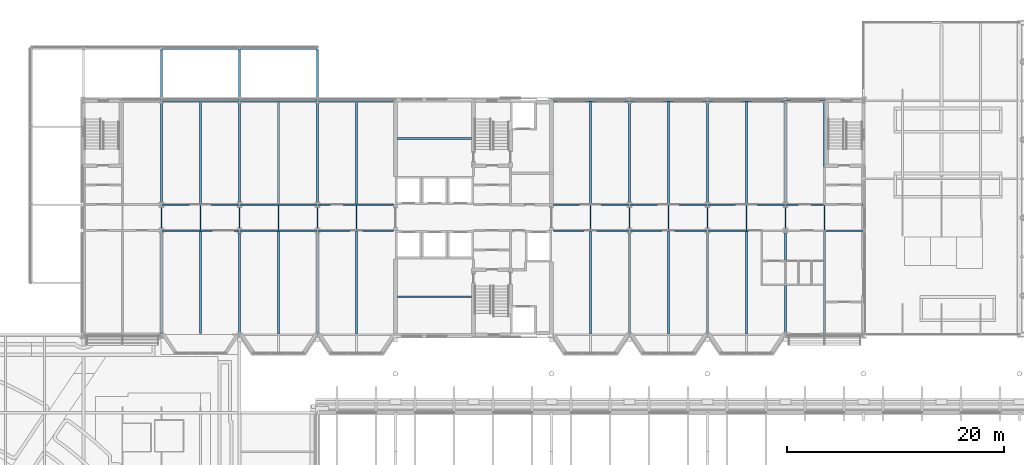
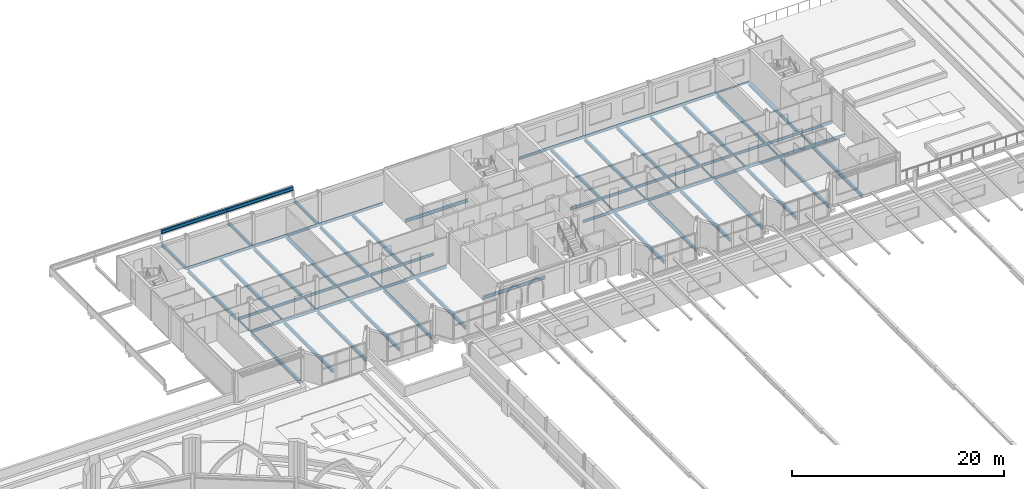
# One storey, part 29 of 110: 67 beams.
"""IFC4 building model written with IfcOpenShell, lengths in metres."""

import ifcopenshell
import ifcopenshell.guid

model = None  # the IFC model being written
_history = None  # IfcOwnerHistory: only IFC2X3 demands one
_inside = {}  # id of a spatial element -> (the spatial element, [elements in it])
_under = {}  # id of a project, library or spatial element -> (it, [spatial elements below it])
_declared = {}  # id of a project -> (the project, [libraries it declares])
_typed = {}  # id of a type object -> (the type object, [elements of that type])
_made_of = {}  # id of a material, layer set ... -> (it, [elements and type objects made of it])


def new_model(schema):
    """Start an empty IFC model of exactly this schema.

    Asked for "IFC4X3", IfcOpenShell would pick the latest addendum, in which some entities
    have other attributes; the version numbers below select the first issue.
    IFC2X3 requires an IfcOwnerHistory on every rooted entity: one is made here for all.
    """
    global model, _history
    if schema == "IFC4X3":
        model = ifcopenshell.file(schema_version=(4, 3, 0, 0))
    else:
        model = ifcopenshell.file(schema=schema)
    _inside.clear()
    _under.clear()
    _declared.clear()
    _typed.clear()
    _made_of.clear()
    _history = None
    if model.schema == "IFC2X3":
        org = make("IfcOrganization", Name="unknown")
        user = make(
            "IfcPersonAndOrganization",
            ThePerson=make("IfcPerson", FamilyName="unknown"),
            TheOrganization=org,
        )
        app = make(
            "IfcApplication",
            ApplicationDeveloper=org,
            Version="unknown",
            ApplicationFullName="unknown",
            ApplicationIdentifier="unknown",
        )
        _history = make(
            "IfcOwnerHistory",
            OwningUser=user,
            OwningApplication=app,
            ChangeAction="ADDED",
            CreationDate=0,
        )
    return model


def make(cls, **values):
    """One entity of the class cls with the attributes given. An attribute that is None is left unset."""
    return model.create_entity(
        cls, **{name: value for name, value in values.items() if value is not None}
    )


def rooted(cls, **values):
    """An entity with a GlobalId (a new one), such as an element, a storey or a relation."""
    return make(cls, GlobalId=ifcopenshell.guid.new(), OwnerHistory=_history, **values)


def si_unit(unit_type, name, prefix=None):
    """IfcSIUnit, for example si_unit("LENGTHUNIT", "METRE", prefix="MILLI")."""
    return make("IfcSIUnit", UnitType=unit_type, Prefix=prefix, Name=name)


def assignment(units):
    """IfcUnitAssignment: the units of a project."""
    return None if units is None else make("IfcUnitAssignment", Units=units)


def point(xyz):
    """IfcCartesianPoint."""
    return None if xyz is None else make("IfcCartesianPoint", Coordinates=xyz)


def direction(xyz):
    """IfcDirection."""
    return None if xyz is None else make("IfcDirection", DirectionRatios=xyz)


def frame(location, z_axis=None, x_axis=None):
    """IfcAxis2Placement3D, a coordinate frame: its origin and axes. An axis left out is left unset."""
    return make(
        "IfcAxis2Placement3D",
        Location=point(location),
        Axis=direction(z_axis),
        RefDirection=direction(x_axis),
    )


def frame_2d(location, x_axis=None):
    """IfcAxis2Placement2D, a coordinate frame in the plane: its origin and x axis."""
    return make(
        "IfcAxis2Placement2D", Location=point(location), RefDirection=direction(x_axis)
    )


def origin():
    """The frame at (0, 0, 0) with its axes left unset."""
    return frame((0.0, 0.0, 0.0))


def origin_2d():
    """The frame at (0, 0) in the plane with its x axis left unset."""
    return frame_2d((0.0, 0.0))


def place(relative_to, where):
    """IfcLocalPlacement: puts the frame where relative to a parent placement (None: the world)."""
    return make(
        "IfcLocalPlacement", PlacementRelTo=relative_to, RelativePlacement=where
    )


def context(
    kind, dimensions, precision=None, world=None, true_north=None, identifier=None
):
    """IfcGeometricRepresentationContext, for example the 3D "Model" context."""
    return make(
        "IfcGeometricRepresentationContext",
        ContextIdentifier=identifier,
        ContextType=kind,
        CoordinateSpaceDimension=dimensions,
        Precision=precision,
        WorldCoordinateSystem=world,
        TrueNorth=true_north,
    )


def subcontext(parent, identifier, kind, view, scale=None):
    """IfcGeometricRepresentationSubContext, for example "Body" below "Model"."""
    return make(
        "IfcGeometricRepresentationSubContext",
        ContextIdentifier=identifier,
        ContextType=kind,
        ParentContext=parent,
        TargetScale=scale,
        TargetView=view,
    )


def project(units=None, contexts=None):
    """IfcProject with its units and contexts."""
    return rooted(
        "IfcProject",
        Name="project",
        RepresentationContexts=contexts,
        UnitsInContext=assignment(units),
    )


def spatial(cls, under=None, at=None, **own):
    """A site, building, storey or space (cls), placed at a placement, below another one or the project."""
    s = rooted(cls, ObjectPlacement=at, **own)
    if under is not None:
        _under.setdefault(under.id(), (under, []))[1].append(s)
    return s


def profile(cls, at=None, kind="AREA", **sizes):
    """A parametric profile (cls). Its sizes go by their IFC names, for example OverallWidth=200.0."""
    return make(cls, ProfileType=kind, Position=at, **sizes)


def i_section(**sizes):
    """IfcIShapeProfileDef."""
    return profile("IfcIShapeProfileDef", **sizes)


def extrude(swept, where, along, depth):
    """IfcExtrudedAreaSolid: the profile swept, set in the frame where, extruded along a direction by depth."""
    return make(
        "IfcExtrudedAreaSolid",
        SweptArea=swept,
        Position=where,
        ExtrudedDirection=direction(along),
        Depth=depth,
    )


def shape(context_of_items, identifier, shape_type, items):
    """IfcShapeRepresentation: the items that make up one representation, for example the "Body"."""
    return make(
        "IfcShapeRepresentation",
        ContextOfItems=context_of_items,
        RepresentationIdentifier=identifier,
        RepresentationType=shape_type,
        Items=items,
    )


def material(Name=None, Category=None):
    """IfcMaterial."""
    return make("IfcMaterial", Name=Name, Category=Category)


def material_profile(
    of_material, cross_section, Name=None, Category=None, Priority=None
):
    """IfcMaterialProfile: a cross section and its material."""
    return make(
        "IfcMaterialProfile",
        Name=Name,
        Material=of_material,
        Profile=cross_section,
        Priority=Priority,
        Category=Category,
    )


def profile_set(profiles, Name=None, composite=None):
    """IfcMaterialProfileSet."""
    return make(
        "IfcMaterialProfileSet",
        Name=Name,
        MaterialProfiles=profiles,
        CompositeProfile=composite,
    )


def made_of(thing, what):
    """Note that an element or type object is made of a material, layer set ...; save() writes the relation."""
    if what is not None:
        _made_of.setdefault(what.id(), (what, []))[1].append(thing)
    return thing


def type_object(cls, material=None, **own):
    """A type object (cls), such as IfcWallType, which elements share."""
    return made_of(rooted(cls, **own), material)


def element(
    cls,
    number,
    at=None,
    inside=None,
    cuts=None,
    type_object=None,
    material=None,
    context=None,
    identifier="Body",
    shape_type=None,
    held_by="IfcProductDefinitionShape",
    body=None,
    shapes=None,
    **own,
):
    """One element of the class cls, such as IfcWall. Its Tag is "e" and its number.

    at: its placement. inside: the storey or other place that contains it. cuts: it is an
    opening in that element (IfcRelVoidsElement). A single representation is given by context,
    identifier, shape_type and body (its items); several are given by shapes. held_by: the class
    of the entity that holds the representations. save() writes the other relations.
    """
    e = rooted(cls, Tag="e%d" % number, ObjectPlacement=at, **own)
    if body is not None:
        shapes = [shape(context, identifier, shape_type, body)]
    if shapes is not None:
        e.Representation = make(held_by, Representations=shapes)
    if inside is not None:
        _inside.setdefault(inside.id(), (inside, []))[1].append(e)
    if cuts is not None:
        rooted(
            "IfcRelVoidsElement", RelatingBuildingElement=cuts, RelatedOpeningElement=e
        )
    if type_object is not None:
        _typed.setdefault(type_object.id(), (type_object, []))[1].append(e)
    return made_of(e, material)


def aggregate(whole, parts):
    """IfcRelAggregates: a whole, such as a stair, and the parts it consists of."""
    return rooted("IfcRelAggregates", RelatingObject=whole, RelatedObjects=parts)


def save(model, path):
    """Write the relations noted so far, then the file.

    IfcRelAggregates (storeys below a building ...), IfcRelContainedInSpatialStructure (elements
    in a storey), IfcRelDefinesByType, IfcRelAssociatesMaterial and IfcRelDeclares: one each for
    every whole, place, type object, material and project.
    """
    for whole, parts in _under.values():
        aggregate(whole, parts)
    for where, things in _inside.values():
        rooted(
            "IfcRelContainedInSpatialStructure",
            RelatedElements=things,
            RelatingStructure=where,
        )
    for kind, things in _typed.values():
        rooted("IfcRelDefinesByType", RelatedObjects=things, RelatingType=kind)
    for what, things in _made_of.values():
        rooted("IfcRelAssociatesMaterial", RelatedObjects=things, RelatingMaterial=what)
    for by, libraries in _declared.values():
        rooted("IfcRelDeclares", RelatingContext=by, RelatedDefinitions=libraries)
    model.write(path)


model = new_model("IFC4")

# Units and contexts
model_context = context("Model", 3, precision=1e-05, world=origin(), true_north=direction((0.0, 1.0)))
body_context = subcontext(model_context, "Body", "Model", "MODEL_VIEW")
ifc_project = project(units=[si_unit("LENGTHUNIT", "METRE"), si_unit("AREAUNIT", "SQUARE_METRE"), si_unit("VOLUMEUNIT", "CUBIC_METRE"), si_unit("PLANEANGLEUNIT", "RADIAN"), si_unit("MASSUNIT", "GRAM", prefix="KILO")], contexts=[model_context])

# Site, building, storey
site_placement = place(None, origin())
site = spatial("IfcSite", under=ifc_project, at=site_placement, CompositionType="ELEMENT")
building_placement = place(site_placement, origin())
building = spatial("IfcBuilding", under=site, at=building_placement, Name="Kupolbacken Congress Centre", CompositionType="ELEMENT")
storey_placement = place(building_placement, frame((0.0, 0.0, 18.0)))
storey = spatial("IfcBuildingStorey", under=building, at=storey_placement, Name="L05", CompositionType="ELEMENT", Elevation=18.0)

# Beams
ifc_material_1 = material(Name="Steel S355", Category="steel")
ifc_material_profile_1 = material_profile(ifc_material_1, i_section(OverallWidth=0.10009765625, OverallDepth=0.199951171875, WebThickness=0.005615234375, FlangeThickness=0.008544921875, FilletRadius=0.011962890625, at=origin_2d()), Name="IPE 200")
ifc_profile_set_1 = profile_set([ifc_material_profile_1], Name="Steel S355")
beam_type_1 = type_object("IfcBeamType", Name="B01 beam IPE 200", PredefinedType="BEAM", material=ifc_profile_set_1)
beam_1_placement = place(storey_placement, frame((129.610595703125, 144.0, -0.239990234375), z_axis=(1.0, 0.0, 0.0), x_axis=(0.0, 1.0, 0.0)))
element("IfcBeam", 1, at=beam_1_placement, inside=storey, type_object=beam_type_1, Name="S/floor/T/L05/R030", PredefinedType="BEAM", context=body_context, shape_type="SweptSolid", body=[
    extrude(i_section(OverallWidth=0.10009765625, OverallDepth=0.199951171875, WebThickness=0.005615234375, FlangeThickness=0.008544921875, FilletRadius=0.011962890625, at=origin_2d()), origin(), (0.0, 0.0, 1.0), 3.639404296875),
])
beam_2_placement = place(storey_placement, frame((72.0, 132.21240234375, -0.239990234375), z_axis=(0.0, 1.0, 0.0), x_axis=(-1.0, 0.0, 0.0)))
element("IfcBeam", 2, at=beam_2_placement, inside=storey, type_object=beam_type_1, Name="S/floor/T/L05/S038", PredefinedType="BEAM", context=body_context, shape_type="SweptSolid", body=[
    extrude(i_section(OverallWidth=0.10009765625, OverallDepth=0.199951171875, WebThickness=0.005615234375, FlangeThickness=0.008544921875, FilletRadius=0.011962890625, at=origin_2d()), origin(), (0.0, 0.0, 1.0), 1.97509765625),
])
beam_3_placement = place(storey_placement, frame((75.60009765625, 132.074951171875, -0.239990234375), z_axis=(0.0, 1.0, 0.0), x_axis=(-1.0, 0.0, 0.0)))
element("IfcBeam", 3, at=beam_3_placement, inside=storey, type_object=beam_type_1, Name="S/floor/T/L05/S041", PredefinedType="BEAM", context=body_context, shape_type="SweptSolid", body=[
    extrude(i_section(OverallWidth=0.10009765625, OverallDepth=0.199951171875, WebThickness=0.005615234375, FlangeThickness=0.008544921875, FilletRadius=0.011962890625, at=origin_2d()), origin(), (0.0, 0.0, 1.0), 2.25),
])
beam_4_placement = place(storey_placement, frame((79.199951171875, 132.21240234375, -0.239990234375), z_axis=(0.0, 1.0, 0.0), x_axis=(-1.0, 0.0, 0.0)))
element("IfcBeam", 4, at=beam_4_placement, inside=storey, type_object=beam_type_1, Name="S/floor/T/L05/S044", PredefinedType="BEAM", context=body_context, shape_type="SweptSolid", body=[
    extrude(i_section(OverallWidth=0.10009765625, OverallDepth=0.199951171875, WebThickness=0.005615234375, FlangeThickness=0.008544921875, FilletRadius=0.011962890625, at=origin_2d()), origin(), (0.0, 0.0, 1.0), 1.97509765625),
])
beam_5_placement = place(storey_placement, frame((82.800048828125, 132.074951171875, -0.239990234375), z_axis=(0.0, 1.0, 0.0), x_axis=(-1.0, 0.0, 0.0)))
element("IfcBeam", 5, at=beam_5_placement, inside=storey, type_object=beam_type_1, Name="S/floor/T/L05/S047", PredefinedType="BEAM", context=body_context, shape_type="SweptSolid", body=[
    extrude(i_section(OverallWidth=0.10009765625, OverallDepth=0.199951171875, WebThickness=0.005615234375, FlangeThickness=0.008544921875, FilletRadius=0.011962890625, at=origin_2d()), origin(), (0.0, 0.0, 1.0), 2.25),
])
beam_6_placement = place(storey_placement, frame((86.39990234375, 132.21240234375, -0.239990234375), z_axis=(0.0, 1.0, 0.0), x_axis=(-1.0, 0.0, 0.0)))
element("IfcBeam", 6, at=beam_6_placement, inside=storey, type_object=beam_type_1, Name="S/floor/T/L05/S050", PredefinedType="BEAM", context=body_context, shape_type="SweptSolid", body=[
    extrude(i_section(OverallWidth=0.10009765625, OverallDepth=0.199951171875, WebThickness=0.005615234375, FlangeThickness=0.008544921875, FilletRadius=0.011962890625, at=origin_2d()), origin(), (0.0, 0.0, 1.0), 1.97509765625),
])
for number, where, z_axis, x_axis, name in (
    (7, (90.0, 132.074951171875, -0.239990234375), (0.0, 1.0, 0.0), (-1.0, 0.0, 0.0), "S/floor/T/L05/S053"),
    (8, (111.60009765625, 132.074951171875, -0.239990234375), (0.0, 1.0, 0.0), (-1.0, 0.0, 0.0), "S/floor/T/L05/S056"),
):
    element("IfcBeam", number, at=place(storey_placement, frame(where, z_axis=z_axis, x_axis=x_axis)), inside=storey, type_object=beam_type_1, Name=name, PredefinedType="BEAM", context=body_context, shape_type="SweptSolid", body=[
        extrude(i_section(OverallWidth=0.10009765625, OverallDepth=0.199951171875, WebThickness=0.005615234375, FlangeThickness=0.008544921875, FilletRadius=0.011962890625, at=origin_2d()), origin(), (0.0, 0.0, 1.0), 2.25),
    ])
beam_7_placement = place(storey_placement, frame((115.199951171875, 132.21240234375, -0.239990234375), z_axis=(0.0, 1.0, 0.0), x_axis=(-1.0, 0.0, 0.0)))
element("IfcBeam", 9, at=beam_7_placement, inside=storey, type_object=beam_type_1, Name="S/floor/T/L05/S059", PredefinedType="BEAM", context=body_context, shape_type="SweptSolid", body=[
    extrude(i_section(OverallWidth=0.10009765625, OverallDepth=0.199951171875, WebThickness=0.005615234375, FlangeThickness=0.008544921875, FilletRadius=0.011962890625, at=origin_2d()), origin(), (0.0, 0.0, 1.0), 1.97509765625),
])
beam_8_placement = place(storey_placement, frame((118.800048828125, 132.074951171875, -0.239990234375), z_axis=(0.0, 1.0, 0.0), x_axis=(-1.0, 0.0, 0.0)))
element("IfcBeam", 10, at=beam_8_placement, inside=storey, type_object=beam_type_1, Name="S/floor/T/L05/S062", PredefinedType="BEAM", context=body_context, shape_type="SweptSolid", body=[
    extrude(i_section(OverallWidth=0.10009765625, OverallDepth=0.199951171875, WebThickness=0.005615234375, FlangeThickness=0.008544921875, FilletRadius=0.011962890625, at=origin_2d()), origin(), (0.0, 0.0, 1.0), 2.25),
])
beam_9_placement = place(storey_placement, frame((122.39990234375, 132.21240234375, -0.239990234375), z_axis=(0.0, 1.0, 0.0), x_axis=(-1.0, 0.0, 0.0)))
element("IfcBeam", 11, at=beam_9_placement, inside=storey, type_object=beam_type_1, Name="S/floor/T/L05/S065", PredefinedType="BEAM", context=body_context, shape_type="SweptSolid", body=[
    extrude(i_section(OverallWidth=0.10009765625, OverallDepth=0.199951171875, WebThickness=0.005615234375, FlangeThickness=0.008544921875, FilletRadius=0.011962890625, at=origin_2d()), origin(), (0.0, 0.0, 1.0), 1.97509765625),
])
beam_10_placement = place(storey_placement, frame((126.0, 132.074951171875, -0.239990234375), z_axis=(0.0, 1.0, 0.0), x_axis=(-1.0, 0.0, 0.0)))
element("IfcBeam", 12, at=beam_10_placement, inside=storey, type_object=beam_type_1, Name="S/floor/T/L05/S068", PredefinedType="BEAM", context=body_context, shape_type="SweptSolid", body=[
    extrude(i_section(OverallWidth=0.10009765625, OverallDepth=0.199951171875, WebThickness=0.005615234375, FlangeThickness=0.008544921875, FilletRadius=0.011962890625, at=origin_2d()), origin(), (0.0, 0.0, 1.0), 2.25),
])
beam_11_placement = place(storey_placement, frame((129.60009765625, 132.21240234375, -0.239990234375), z_axis=(0.0, 1.0, 0.0), x_axis=(-1.0, 0.0, 0.0)))
element("IfcBeam", 13, at=beam_11_placement, inside=storey, type_object=beam_type_1, Name="S/floor/T/L05/S071", PredefinedType="BEAM", context=body_context, shape_type="SweptSolid", body=[
    extrude(i_section(OverallWidth=0.10009765625, OverallDepth=0.199951171875, WebThickness=0.005615234375, FlangeThickness=0.008544921875, FilletRadius=0.011962890625, at=origin_2d()), origin(), (0.0, 0.0, 1.0), 1.97509765625),
])
beam_12_placement = place(storey_placement, frame((133.199951171875, 132.074951171875, -0.239990234375), z_axis=(0.0, 1.0, 0.0), x_axis=(-1.0, 0.0, 0.0)))
element("IfcBeam", 14, at=beam_12_placement, inside=storey, type_object=beam_type_1, Name="S/floor/T/L05/S074", PredefinedType="BEAM", context=body_context, shape_type="SweptSolid", body=[
    extrude(i_section(OverallWidth=0.10009765625, OverallDepth=0.199951171875, WebThickness=0.005615234375, FlangeThickness=0.008544921875, FilletRadius=0.011962890625, at=origin_2d()), origin(), (0.0, 0.0, 1.0), 2.25),
])
ifc_material_2 = material(Name="Steel S355", Category="steel")
ifc_material_profile_2 = material_profile(ifc_material_2, i_section(OverallWidth=0.14990234375, OverallDepth=0.300048828125, WebThickness=0.007080078125, FlangeThickness=0.0107421875, FilletRadius=0.014892578125, at=origin_2d()), Name="IPE 300")
ifc_profile_set_2 = profile_set([ifc_material_profile_2], Name="Steel S355")
beam_type_2 = type_object("IfcBeamType", Name="B04 beam IPE 300", PredefinedType="BEAM", material=ifc_profile_set_2)
for number, where, z_axis, x_axis, name in (
    (15, (72.016357421875, 132.0, -0.2900390625), (1.0, 0.0, 0.0), (0.0, 1.0, 0.0), "S/floor/T/L05/R008"),
    (16, (79.21630859375, 132.0, -0.2900390625), (1.0, 0.0, 0.0), (0.0, 1.0, 0.0), "S/floor/T/L05/R009"),
):
    element("IfcBeam", number, at=place(storey_placement, frame(where, z_axis=z_axis, x_axis=x_axis)), inside=storey, type_object=beam_type_2, Name=name, PredefinedType="BEAM", context=body_context, shape_type="SweptSolid", body=[
        extrude(i_section(OverallWidth=0.14990234375, OverallDepth=0.300048828125, WebThickness=0.007080078125, FlangeThickness=0.0107421875, FilletRadius=0.014892578125, at=origin_2d()), origin(), (0.0, 0.0, 1.0), 7.167236328125),
    ])
beam_13_placement = place(storey_placement, frame((86.41650390625, 132.0, -0.2900390625), z_axis=(1.0, 0.0, 0.0), x_axis=(0.0, 1.0, 0.0)))
element("IfcBeam", 17, at=beam_13_placement, inside=storey, type_object=beam_type_2, Name="S/floor/T/L05/R010", PredefinedType="BEAM", context=body_context, shape_type="SweptSolid", body=[
    extrude(i_section(OverallWidth=0.14990234375, OverallDepth=0.300048828125, WebThickness=0.007080078125, FlangeThickness=0.0107421875, FilletRadius=0.014892578125, at=origin_2d()), origin(), (0.0, 0.0, 1.0), 6.9833984375),
])
beam_14_placement = place(storey_placement, frame((108.199951171875, 132.0, -0.2900390625), z_axis=(1.0, 0.0, 0.0), x_axis=(0.0, 1.0, 0.0)))
element("IfcBeam", 18, at=beam_14_placement, inside=storey, type_object=beam_type_2, Name="S/floor/T/L05/R011", PredefinedType="BEAM", context=body_context, shape_type="SweptSolid", body=[
    extrude(i_section(OverallWidth=0.14990234375, OverallDepth=0.300048828125, WebThickness=0.007080078125, FlangeThickness=0.0107421875, FilletRadius=0.014892578125, at=origin_2d()), origin(), (0.0, 0.0, 1.0), 6.983642578125),
])
beam_15_placement = place(storey_placement, frame((115.21630859375, 132.0, -0.2900390625), z_axis=(1.0, 0.0, 0.0), x_axis=(0.0, 1.0, 0.0)))
element("IfcBeam", 19, at=beam_15_placement, inside=storey, type_object=beam_type_2, Name="S/floor/T/L05/R012", PredefinedType="BEAM", context=body_context, shape_type="SweptSolid", body=[
    extrude(i_section(OverallWidth=0.14990234375, OverallDepth=0.300048828125, WebThickness=0.007080078125, FlangeThickness=0.0107421875, FilletRadius=0.014892578125, at=origin_2d()), origin(), (0.0, 0.0, 1.0), 7.167236328125),
])
beam_16_placement = place(storey_placement, frame((122.41650390625, 132.0, -0.2900390625), z_axis=(1.0, 0.0, 0.0), x_axis=(0.0, 1.0, 0.0)))
element("IfcBeam", 20, at=beam_16_placement, inside=storey, type_object=beam_type_2, Name="S/floor/T/L05/R013", PredefinedType="BEAM", context=body_context, shape_type="SweptSolid", body=[
    extrude(i_section(OverallWidth=0.14990234375, OverallDepth=0.300048828125, WebThickness=0.007080078125, FlangeThickness=0.0107421875, FilletRadius=0.014892578125, at=origin_2d()), origin(), (0.0, 0.0, 1.0), 7.1669921875),
])
beam_17_placement = place(storey_placement, frame((129.616455078125, 132.0, -0.2900390625), z_axis=(1.0, 0.0, 0.0), x_axis=(0.0, 1.0, 0.0)))
element("IfcBeam", 21, at=beam_17_placement, inside=storey, type_object=beam_type_2, Name="S/floor/T/L05/R014", PredefinedType="BEAM", context=body_context, shape_type="SweptSolid", body=[
    extrude(i_section(OverallWidth=0.14990234375, OverallDepth=0.300048828125, WebThickness=0.007080078125, FlangeThickness=0.0107421875, FilletRadius=0.014892578125, at=origin_2d()), origin(), (0.0, 0.0, 1.0), 7.176513671875),
])
for number, where, z_axis, x_axis, name in (
    (22, (72.016357421875, 134.39990234375, -0.2900390625), (1.0, 0.0, 0.0), (0.0, 1.0, 0.0), "S/floor/T/L05/R016"),
    (23, (79.21630859375, 134.39990234375, -0.2900390625), (1.0, 0.0, 0.0), (0.0, 1.0, 0.0), "S/floor/T/L05/R017"),
):
    element("IfcBeam", number, at=place(storey_placement, frame(where, z_axis=z_axis, x_axis=x_axis)), inside=storey, type_object=beam_type_2, Name=name, PredefinedType="BEAM", context=body_context, shape_type="SweptSolid", body=[
        extrude(i_section(OverallWidth=0.14990234375, OverallDepth=0.300048828125, WebThickness=0.007080078125, FlangeThickness=0.0107421875, FilletRadius=0.014892578125, at=origin_2d()), origin(), (0.0, 0.0, 1.0), 7.167236328125),
    ])
beam_18_placement = place(storey_placement, frame((86.41650390625, 134.39990234375, -0.2900390625), z_axis=(1.0, 0.0, 0.0), x_axis=(0.0, 1.0, 0.0)))
element("IfcBeam", 24, at=beam_18_placement, inside=storey, type_object=beam_type_2, Name="S/floor/T/L05/R018", PredefinedType="BEAM", context=body_context, shape_type="SweptSolid", body=[
    extrude(i_section(OverallWidth=0.14990234375, OverallDepth=0.300048828125, WebThickness=0.007080078125, FlangeThickness=0.0107421875, FilletRadius=0.014892578125, at=origin_2d()), origin(), (0.0, 0.0, 1.0), 6.9833984375),
])
beam_19_placement = place(storey_placement, frame((108.199951171875, 134.39990234375, -0.2900390625), z_axis=(1.0, 0.0, 0.0), x_axis=(0.0, 1.0, 0.0)))
element("IfcBeam", 25, at=beam_19_placement, inside=storey, type_object=beam_type_2, Name="S/floor/T/L05/R019", PredefinedType="BEAM", context=body_context, shape_type="SweptSolid", body=[
    extrude(i_section(OverallWidth=0.14990234375, OverallDepth=0.300048828125, WebThickness=0.007080078125, FlangeThickness=0.0107421875, FilletRadius=0.014892578125, at=origin_2d()), origin(), (0.0, 0.0, 1.0), 6.983642578125),
])
beam_20_placement = place(storey_placement, frame((115.21630859375, 134.39990234375, -0.2900390625), z_axis=(1.0, 0.0, 0.0), x_axis=(0.0, 1.0, 0.0)))
element("IfcBeam", 26, at=beam_20_placement, inside=storey, type_object=beam_type_2, Name="S/floor/T/L05/R020", PredefinedType="BEAM", context=body_context, shape_type="SweptSolid", body=[
    extrude(i_section(OverallWidth=0.14990234375, OverallDepth=0.300048828125, WebThickness=0.007080078125, FlangeThickness=0.0107421875, FilletRadius=0.014892578125, at=origin_2d()), origin(), (0.0, 0.0, 1.0), 7.167236328125),
])
beam_21_placement = place(storey_placement, frame((122.41650390625, 134.39990234375, -0.2900390625), z_axis=(1.0, 0.0, 0.0), x_axis=(0.0, 1.0, 0.0)))
element("IfcBeam", 27, at=beam_21_placement, inside=storey, type_object=beam_type_2, Name="S/floor/T/L05/R021", PredefinedType="BEAM", context=body_context, shape_type="SweptSolid", body=[
    extrude(i_section(OverallWidth=0.14990234375, OverallDepth=0.300048828125, WebThickness=0.007080078125, FlangeThickness=0.0107421875, FilletRadius=0.014892578125, at=origin_2d()), origin(), (0.0, 0.0, 1.0), 7.1669921875),
])
beam_22_placement = place(storey_placement, frame((129.616455078125, 134.39990234375, -0.2900390625), z_axis=(1.0, 0.0, 0.0), x_axis=(0.0, 1.0, 0.0)))
element("IfcBeam", 28, at=beam_22_placement, inside=storey, type_object=beam_type_2, Name="S/floor/T/L05/R022", PredefinedType="BEAM", context=body_context, shape_type="SweptSolid", body=[
    extrude(i_section(OverallWidth=0.14990234375, OverallDepth=0.300048828125, WebThickness=0.007080078125, FlangeThickness=0.0107421875, FilletRadius=0.014892578125, at=origin_2d()), origin(), (0.0, 0.0, 1.0), 7.176513671875),
])
for number, where, z_axis, x_axis, name in (
    (29, (72.010498046875, 144.0, -0.2900390625), (1.0, 0.0, 0.0), (0.0, 1.0, 0.0), "S/floor/T/L05/R024"),
    (30, (79.21044921875, 144.0, -0.2900390625), (1.0, 0.0, 0.0), (0.0, 1.0, 0.0), "S/floor/T/L05/R025"),
):
    element("IfcBeam", number, at=place(storey_placement, frame(where, z_axis=z_axis, x_axis=x_axis)), inside=storey, type_object=beam_type_2, Name=name, PredefinedType="BEAM", context=body_context, shape_type="SweptSolid", body=[
        extrude(i_section(OverallWidth=0.14990234375, OverallDepth=0.300048828125, WebThickness=0.007080078125, FlangeThickness=0.0107421875, FilletRadius=0.014892578125, at=origin_2d()), origin(), (0.0, 0.0, 1.0), 7.178955078125),
    ])
for number, where, z_axis, x_axis, name in (
    (31, (86.410400390625, 144.0, -0.2900390625), (1.0, 0.0, 0.0), (0.0, 1.0, 0.0), "S/floor/T/L05/R026"),
    (32, (108.199951171875, 144.0, -0.2900390625), (1.0, 0.0, 0.0), (0.0, 1.0, 0.0), "S/floor/T/L05/R027"),
):
    element("IfcBeam", number, at=place(storey_placement, frame(where, z_axis=z_axis, x_axis=x_axis)), inside=storey, type_object=beam_type_2, Name=name, PredefinedType="BEAM", context=body_context, shape_type="SweptSolid", body=[
        extrude(i_section(OverallWidth=0.14990234375, OverallDepth=0.300048828125, WebThickness=0.007080078125, FlangeThickness=0.0107421875, FilletRadius=0.014892578125, at=origin_2d()), origin(), (0.0, 0.0, 1.0), 6.989501953125),
    ])
beam_23_placement = place(storey_placement, frame((115.21044921875, 144.0, -0.2900390625), z_axis=(1.0, 0.0, 0.0), x_axis=(0.0, 1.0, 0.0)))
element("IfcBeam", 33, at=beam_23_placement, inside=storey, type_object=beam_type_2, Name="S/floor/T/L05/R028", PredefinedType="BEAM", context=body_context, shape_type="SweptSolid", body=[
    extrude(i_section(OverallWidth=0.14990234375, OverallDepth=0.300048828125, WebThickness=0.007080078125, FlangeThickness=0.0107421875, FilletRadius=0.014892578125, at=origin_2d()), origin(), (0.0, 0.0, 1.0), 7.178955078125),
])
beam_24_placement = place(storey_placement, frame((122.410400390625, 144.0, -0.2900390625), z_axis=(1.0, 0.0, 0.0), x_axis=(0.0, 1.0, 0.0)))
element("IfcBeam", 34, at=beam_24_placement, inside=storey, type_object=beam_type_2, Name="S/floor/T/L05/R029", PredefinedType="BEAM", context=body_context, shape_type="SweptSolid", body=[
    extrude(i_section(OverallWidth=0.14990234375, OverallDepth=0.300048828125, WebThickness=0.007080078125, FlangeThickness=0.0107421875, FilletRadius=0.014892578125, at=origin_2d()), origin(), (0.0, 0.0, 1.0), 7.17919921875),
])
ifc_material_3 = material(Name="Steel S355", Category="steel")
ifc_material_profile_3 = material_profile(ifc_material_3, i_section(OverallWidth=0.169921875, OverallDepth=0.360107421875, WebThickness=0.008056640625, FlangeThickness=0.0126953125, FilletRadius=0.01806640625, at=origin_2d()), Name="IPE 360")
ifc_profile_set_3 = profile_set([ifc_material_profile_3], Name="Steel S355")
beam_type_3 = type_object("IfcBeamType", Name="B06 beam IPE 360", PredefinedType="BEAM", material=ifc_profile_set_3)
for number, where, z_axis, x_axis, name in (
    (35, (93.800048828125, 125.89990234375, -0.320068359375), (1.0, 0.0, 0.0), (0.0, 1.0, 0.0), "S/floor/T/L05/RB125"),
    (36, (93.800048828125, 140.5, -0.320068359375), (1.0, 0.0, 0.0), (0.0, 1.0, 0.0), "S/floor/T/L05/RB140"),
):
    element("IfcBeam", number, at=place(storey_placement, frame(where, z_axis=z_axis, x_axis=x_axis)), inside=storey, type_object=beam_type_3, Name=name, PredefinedType="BEAM", context=body_context, shape_type="SweptSolid", body=[
        extrude(i_section(OverallWidth=0.169921875, OverallDepth=0.360107421875, WebThickness=0.008056640625, FlangeThickness=0.0126953125, FilletRadius=0.01806640625, at=origin_2d()), origin(), (0.0, 0.0, 1.0), 6.824951171875),
    ])
for number, where, z_axis, x_axis, name in (
    (37, (72.0, 144.080078125, -0.320068359375), (0.0, 1.0, 0.0), (-1.0, 0.0, 0.0), "E/T/portal/N/tie72/L05"),
    (38, (79.199951171875, 144.080078125, -0.320068359375), (0.0, 1.0, 0.0), (-1.0, 0.0, 0.0), "E/T/portal/N/tie79.2/L05"),
    (39, (86.39990234375, 144.080078125, -0.320068359375), (0.0, 1.0, 0.0), (-1.0, 0.0, 0.0), "E/T/portal/N/tie86.4/L05"),
):
    element("IfcBeam", number, at=place(storey_placement, frame(where, z_axis=z_axis, x_axis=x_axis)), inside=storey, type_object=beam_type_3, Name=name, PredefinedType="BEAM", context=body_context, shape_type="SweptSolid", body=[
        extrude(i_section(OverallWidth=0.169921875, OverallDepth=0.360107421875, WebThickness=0.008056640625, FlangeThickness=0.0126953125, FilletRadius=0.01806640625, at=origin_2d()), origin(), (0.0, 0.0, 1.0), 4.60986328125),
    ])
ifc_material_4 = material(Name="Steel S355", Category="steel")
ifc_material_profile_4 = material_profile(ifc_material_4, i_section(OverallWidth=0.179931640625, OverallDepth=0.39990234375, WebThickness=0.008544921875, FlangeThickness=0.013427734375, FilletRadius=0.02099609375, at=origin_2d()), Name="IPE 400")
ifc_profile_set_4 = profile_set([ifc_material_profile_4], Name="Steel S355")
beam_type_4 = type_object("IfcBeamType", Name="B07 beam IPE 400", PredefinedType="BEAM", material=ifc_profile_set_4)
beam_25_placement = place(storey_placement, frame((72.0, 122.52490234375, -0.340087890625), z_axis=(0.0, 1.0, 0.0), x_axis=(-1.0, 0.0, 0.0)))
element("IfcBeam", 40, at=beam_25_placement, inside=storey, type_object=beam_type_4, Name="S/floor/T/L05/S037", PredefinedType="BEAM", context=body_context, shape_type="SweptSolid", body=[
    extrude(i_section(OverallWidth=0.179931640625, OverallDepth=0.39990234375, WebThickness=0.008544921875, FlangeThickness=0.013427734375, FilletRadius=0.02099609375, at=origin_2d()), origin(), (0.0, 0.0, 1.0), 9.2626953125),
])
beam_26_placement = place(storey_placement, frame((72.0, 134.612548828125, -0.340087890625), z_axis=(0.0, 1.0, 0.0), x_axis=(-1.0, 0.0, 0.0)))
element("IfcBeam", 41, at=beam_26_placement, inside=storey, type_object=beam_type_4, Name="S/floor/T/L05/S039", PredefinedType="BEAM", context=body_context, shape_type="SweptSolid", body=[
    extrude(i_section(OverallWidth=0.179931640625, OverallDepth=0.39990234375, WebThickness=0.008544921875, FlangeThickness=0.013427734375, FilletRadius=0.02099609375, at=origin_2d()), origin(), (0.0, 0.0, 1.0), 9.17138671875),
])
beam_27_placement = place(storey_placement, frame((75.60009765625, 122.52490234375, -0.340087890625), z_axis=(0.0, 1.0, 0.0), x_axis=(-1.0, 0.0, 0.0)))
element("IfcBeam", 42, at=beam_27_placement, inside=storey, type_object=beam_type_4, Name="S/floor/T/L05/S040", PredefinedType="BEAM", context=body_context, shape_type="SweptSolid", body=[
    extrude(i_section(OverallWidth=0.179931640625, OverallDepth=0.39990234375, WebThickness=0.008544921875, FlangeThickness=0.013427734375, FilletRadius=0.02099609375, at=origin_2d()), origin(), (0.0, 0.0, 1.0), 9.400146484375),
])
beam_28_placement = place(storey_placement, frame((75.60009765625, 134.47509765625, -0.340087890625), z_axis=(0.0, 1.0, 0.0), x_axis=(-1.0, 0.0, 0.0)))
element("IfcBeam", 43, at=beam_28_placement, inside=storey, type_object=beam_type_4, Name="S/floor/T/L05/S042", PredefinedType="BEAM", context=body_context, shape_type="SweptSolid", body=[
    extrude(i_section(OverallWidth=0.179931640625, OverallDepth=0.39990234375, WebThickness=0.008544921875, FlangeThickness=0.013427734375, FilletRadius=0.02099609375, at=origin_2d()), origin(), (0.0, 0.0, 1.0), 9.449951171875),
])
beam_29_placement = place(storey_placement, frame((79.199951171875, 122.615966796875, -0.340087890625), z_axis=(0.0, 1.0, 0.0), x_axis=(-1.0, 0.0, 0.0)))
element("IfcBeam", 44, at=beam_29_placement, inside=storey, type_object=beam_type_4, Name="S/floor/T/L05/S043", PredefinedType="BEAM", context=body_context, shape_type="SweptSolid", body=[
    extrude(i_section(OverallWidth=0.179931640625, OverallDepth=0.39990234375, WebThickness=0.008544921875, FlangeThickness=0.013427734375, FilletRadius=0.02099609375, at=origin_2d()), origin(), (0.0, 0.0, 1.0), 9.171630859375),
])
beam_30_placement = place(storey_placement, frame((79.199951171875, 134.612548828125, -0.340087890625), z_axis=(0.0, 1.0, 0.0), x_axis=(-1.0, 0.0, 0.0)))
element("IfcBeam", 45, at=beam_30_placement, inside=storey, type_object=beam_type_4, Name="S/floor/T/L05/S045", PredefinedType="BEAM", context=body_context, shape_type="SweptSolid", body=[
    extrude(i_section(OverallWidth=0.179931640625, OverallDepth=0.39990234375, WebThickness=0.008544921875, FlangeThickness=0.013427734375, FilletRadius=0.02099609375, at=origin_2d()), origin(), (0.0, 0.0, 1.0), 9.17138671875),
])
for number, where, z_axis, x_axis, name in (
    (46, (82.800048828125, 122.47509765625, -0.340087890625), (0.0, 1.0, 0.0), (-1.0, 0.0, 0.0), "S/floor/T/L05/S046"),
    (47, (82.800048828125, 134.47509765625, -0.340087890625), (0.0, 1.0, 0.0), (-1.0, 0.0, 0.0), "S/floor/T/L05/S048"),
):
    element("IfcBeam", number, at=place(storey_placement, frame(where, z_axis=z_axis, x_axis=x_axis)), inside=storey, type_object=beam_type_4, Name=name, PredefinedType="BEAM", context=body_context, shape_type="SweptSolid", body=[
        extrude(i_section(OverallWidth=0.179931640625, OverallDepth=0.39990234375, WebThickness=0.008544921875, FlangeThickness=0.013427734375, FilletRadius=0.02099609375, at=origin_2d()), origin(), (0.0, 0.0, 1.0), 9.449951171875),
    ])
beam_31_placement = place(storey_placement, frame((86.39990234375, 122.615966796875, -0.340087890625), z_axis=(0.0, 1.0, 0.0), x_axis=(-1.0, 0.0, 0.0)))
element("IfcBeam", 48, at=beam_31_placement, inside=storey, type_object=beam_type_4, Name="S/floor/T/L05/S049", PredefinedType="BEAM", context=body_context, shape_type="SweptSolid", body=[
    extrude(i_section(OverallWidth=0.179931640625, OverallDepth=0.39990234375, WebThickness=0.008544921875, FlangeThickness=0.013427734375, FilletRadius=0.02099609375, at=origin_2d()), origin(), (0.0, 0.0, 1.0), 9.171630859375),
])
beam_32_placement = place(storey_placement, frame((86.39990234375, 134.612548828125, -0.340087890625), z_axis=(0.0, 1.0, 0.0), x_axis=(-1.0, 0.0, 0.0)))
element("IfcBeam", 49, at=beam_32_placement, inside=storey, type_object=beam_type_4, Name="S/floor/T/L05/S051", PredefinedType="BEAM", context=body_context, shape_type="SweptSolid", body=[
    extrude(i_section(OverallWidth=0.179931640625, OverallDepth=0.39990234375, WebThickness=0.008544921875, FlangeThickness=0.013427734375, FilletRadius=0.02099609375, at=origin_2d()), origin(), (0.0, 0.0, 1.0), 9.17138671875),
])
for number, where, z_axis, x_axis, name in (
    (50, (90.0, 122.47509765625, -0.340087890625), (0.0, 1.0, 0.0), (-1.0, 0.0, 0.0), "S/floor/T/L05/S052"),
    (51, (90.0, 134.47509765625, -0.340087890625), (0.0, 1.0, 0.0), (-1.0, 0.0, 0.0), "S/floor/T/L05/S054"),
    (52, (111.60009765625, 122.47509765625, -0.340087890625), (0.0, 1.0, 0.0), (-1.0, 0.0, 0.0), "S/floor/T/L05/S055"),
    (53, (111.60009765625, 134.47509765625, -0.340087890625), (0.0, 1.0, 0.0), (-1.0, 0.0, 0.0), "S/floor/T/L05/S057"),
):
    element("IfcBeam", number, at=place(storey_placement, frame(where, z_axis=z_axis, x_axis=x_axis)), inside=storey, type_object=beam_type_4, Name=name, PredefinedType="BEAM", context=body_context, shape_type="SweptSolid", body=[
        extrude(i_section(OverallWidth=0.179931640625, OverallDepth=0.39990234375, WebThickness=0.008544921875, FlangeThickness=0.013427734375, FilletRadius=0.02099609375, at=origin_2d()), origin(), (0.0, 0.0, 1.0), 9.449951171875),
    ])
beam_33_placement = place(storey_placement, frame((115.199951171875, 122.615966796875, -0.340087890625), z_axis=(0.0, 1.0, 0.0), x_axis=(-1.0, 0.0, 0.0)))
element("IfcBeam", 54, at=beam_33_placement, inside=storey, type_object=beam_type_4, Name="S/floor/T/L05/S058", PredefinedType="BEAM", context=body_context, shape_type="SweptSolid", body=[
    extrude(i_section(OverallWidth=0.179931640625, OverallDepth=0.39990234375, WebThickness=0.008544921875, FlangeThickness=0.013427734375, FilletRadius=0.02099609375, at=origin_2d()), origin(), (0.0, 0.0, 1.0), 9.171630859375),
])
beam_34_placement = place(storey_placement, frame((115.199951171875, 134.612548828125, -0.340087890625), z_axis=(0.0, 1.0, 0.0), x_axis=(-1.0, 0.0, 0.0)))
element("IfcBeam", 55, at=beam_34_placement, inside=storey, type_object=beam_type_4, Name="S/floor/T/L05/S060", PredefinedType="BEAM", context=body_context, shape_type="SweptSolid", body=[
    extrude(i_section(OverallWidth=0.179931640625, OverallDepth=0.39990234375, WebThickness=0.008544921875, FlangeThickness=0.013427734375, FilletRadius=0.02099609375, at=origin_2d()), origin(), (0.0, 0.0, 1.0), 9.17138671875),
])
for number, where, z_axis, x_axis, name in (
    (56, (118.800048828125, 122.47509765625, -0.340087890625), (0.0, 1.0, 0.0), (-1.0, 0.0, 0.0), "S/floor/T/L05/S061"),
    (57, (118.800048828125, 134.47509765625, -0.340087890625), (0.0, 1.0, 0.0), (-1.0, 0.0, 0.0), "S/floor/T/L05/S063"),
):
    element("IfcBeam", number, at=place(storey_placement, frame(where, z_axis=z_axis, x_axis=x_axis)), inside=storey, type_object=beam_type_4, Name=name, PredefinedType="BEAM", context=body_context, shape_type="SweptSolid", body=[
        extrude(i_section(OverallWidth=0.179931640625, OverallDepth=0.39990234375, WebThickness=0.008544921875, FlangeThickness=0.013427734375, FilletRadius=0.02099609375, at=origin_2d()), origin(), (0.0, 0.0, 1.0), 9.449951171875),
    ])
beam_35_placement = place(storey_placement, frame((122.39990234375, 122.615966796875, -0.340087890625), z_axis=(0.0, 1.0, 0.0), x_axis=(-1.0, 0.0, 0.0)))
element("IfcBeam", 58, at=beam_35_placement, inside=storey, type_object=beam_type_4, Name="S/floor/T/L05/S064", PredefinedType="BEAM", context=body_context, shape_type="SweptSolid", body=[
    extrude(i_section(OverallWidth=0.179931640625, OverallDepth=0.39990234375, WebThickness=0.008544921875, FlangeThickness=0.013427734375, FilletRadius=0.02099609375, at=origin_2d()), origin(), (0.0, 0.0, 1.0), 9.171630859375),
])
beam_36_placement = place(storey_placement, frame((122.39990234375, 134.612548828125, -0.340087890625), z_axis=(0.0, 1.0, 0.0), x_axis=(-1.0, 0.0, 0.0)))
element("IfcBeam", 59, at=beam_36_placement, inside=storey, type_object=beam_type_4, Name="S/floor/T/L05/S066", PredefinedType="BEAM", context=body_context, shape_type="SweptSolid", body=[
    extrude(i_section(OverallWidth=0.179931640625, OverallDepth=0.39990234375, WebThickness=0.008544921875, FlangeThickness=0.013427734375, FilletRadius=0.02099609375, at=origin_2d()), origin(), (0.0, 0.0, 1.0), 9.17138671875),
])
for number, where, z_axis, x_axis, name in (
    (60, (126.0, 122.47509765625, -0.340087890625), (0.0, 1.0, 0.0), (-1.0, 0.0, 0.0), "S/floor/T/L05/S067"),
    (61, (126.0, 134.47509765625, -0.340087890625), (0.0, 1.0, 0.0), (-1.0, 0.0, 0.0), "S/floor/T/L05/S069"),
):
    element("IfcBeam", number, at=place(storey_placement, frame(where, z_axis=z_axis, x_axis=x_axis)), inside=storey, type_object=beam_type_4, Name=name, PredefinedType="BEAM", context=body_context, shape_type="SweptSolid", body=[
        extrude(i_section(OverallWidth=0.179931640625, OverallDepth=0.39990234375, WebThickness=0.008544921875, FlangeThickness=0.013427734375, FilletRadius=0.02099609375, at=origin_2d()), origin(), (0.0, 0.0, 1.0), 9.449951171875),
    ])
beam_37_placement = place(storey_placement, frame((129.60009765625, 122.615966796875, -0.340087890625), z_axis=(0.0, 1.0, 0.0), x_axis=(-1.0, 0.0, 0.0)))
element("IfcBeam", 62, at=beam_37_placement, inside=storey, type_object=beam_type_4, Name="S/floor/T/L05/S070", PredefinedType="BEAM", context=body_context, shape_type="SweptSolid", body=[
    extrude(i_section(OverallWidth=0.179931640625, OverallDepth=0.39990234375, WebThickness=0.008544921875, FlangeThickness=0.013427734375, FilletRadius=0.02099609375, at=origin_2d()), origin(), (0.0, 0.0, 1.0), 9.171630859375),
])
beam_38_placement = place(storey_placement, frame((129.60009765625, 134.612548828125, -0.340087890625), z_axis=(0.0, 1.0, 0.0), x_axis=(-1.0, 0.0, 0.0)))
element("IfcBeam", 63, at=beam_38_placement, inside=storey, type_object=beam_type_4, Name="S/floor/T/L05/S072", PredefinedType="BEAM", context=body_context, shape_type="SweptSolid", body=[
    extrude(i_section(OverallWidth=0.179931640625, OverallDepth=0.39990234375, WebThickness=0.008544921875, FlangeThickness=0.013427734375, FilletRadius=0.02099609375, at=origin_2d()), origin(), (0.0, 0.0, 1.0), 9.17138671875),
])
beam_39_placement = place(storey_placement, frame((133.199951171875, 122.47509765625, -0.340087890625), z_axis=(0.0, 1.0, 0.0), x_axis=(-1.0, 0.0, 0.0)))
element("IfcBeam", 64, at=beam_39_placement, inside=storey, type_object=beam_type_4, Name="S/floor/T/L05/S073", PredefinedType="BEAM", context=body_context, shape_type="SweptSolid", body=[
    extrude(i_section(OverallWidth=0.179931640625, OverallDepth=0.39990234375, WebThickness=0.008544921875, FlangeThickness=0.013427734375, FilletRadius=0.02099609375, at=origin_2d()), origin(), (0.0, 0.0, 1.0), 9.449951171875),
])
beam_40_placement = place(storey_placement, frame((133.199951171875, 134.47509765625, -0.340087890625), z_axis=(0.0, 1.0, 0.0), x_axis=(-1.0, 0.0, 0.0)))
element("IfcBeam", 65, at=beam_40_placement, inside=storey, type_object=beam_type_4, Name="S/floor/T/L05/S075", PredefinedType="BEAM", context=body_context, shape_type="SweptSolid", body=[
    extrude(i_section(OverallWidth=0.179931640625, OverallDepth=0.39990234375, WebThickness=0.008544921875, FlangeThickness=0.013427734375, FilletRadius=0.02099609375, at=origin_2d()), origin(), (0.0, 0.0, 1.0), 9.474853515625),
])
for number, where, z_axis, x_axis, name in (
    (66, (72.0, 148.800048828125, 1.0), (1.0, 0.0, 0.0), (0.0, 1.0, 0.0), "E/T/portal/N/girder72"),
    (67, (79.199951171875, 148.800048828125, 1.0), (1.0, 0.0, 0.0), (0.0, 1.0, 0.0), "E/T/portal/N/girder79.2"),
):
    element("IfcBeam", number, at=place(storey_placement, frame(where, z_axis=z_axis, x_axis=x_axis)), inside=storey, type_object=beam_type_4, Name=name, PredefinedType="BEAM", context=body_context, shape_type="SweptSolid", body=[
        extrude(i_section(OverallWidth=0.179931640625, OverallDepth=0.39990234375, WebThickness=0.008544921875, FlangeThickness=0.013427734375, FilletRadius=0.02099609375, at=origin_2d()), origin(), (0.0, 0.0, 1.0), 7.199951171875),
    ])

save(model, "model.ifc")
